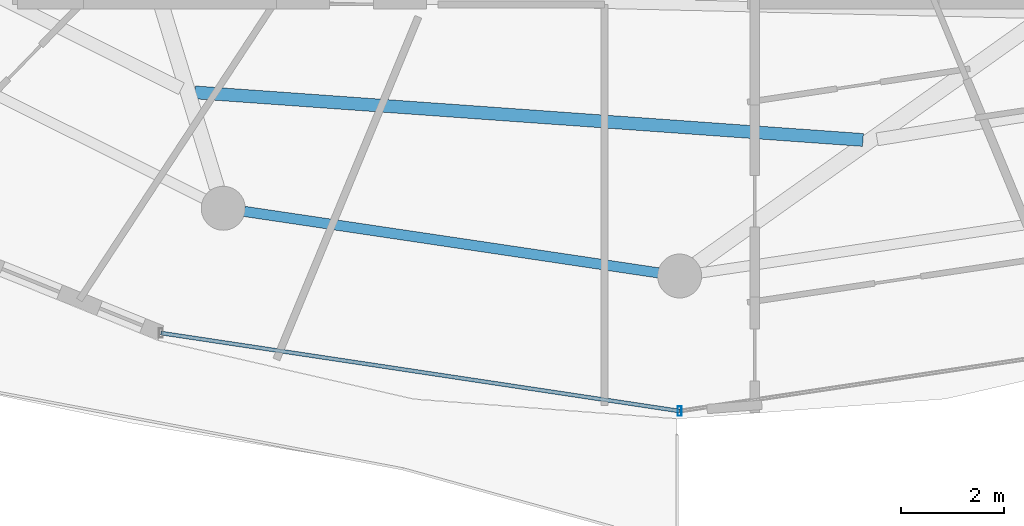
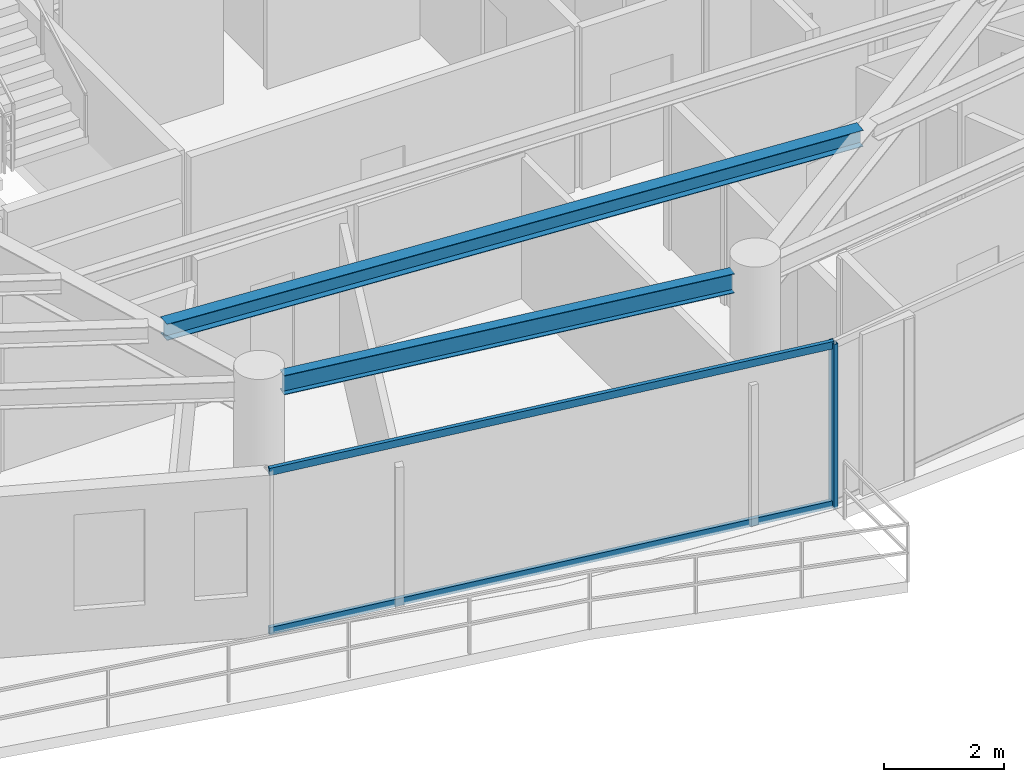
# One storey, part 5 of 32: 3 members, 2 beams, 1 element without a shape of its own.
"""IFC4 building model written with IfcOpenShell, lengths in metres."""

import ifcopenshell
import ifcopenshell.guid

model = None  # the IFC model being written
_history = None  # IfcOwnerHistory: only IFC2X3 demands one
_inside = {}  # id of a spatial element -> (the spatial element, [elements in it])
_under = {}  # id of a project, library or spatial element -> (it, [spatial elements below it])
_declared = {}  # id of a project -> (the project, [libraries it declares])
_typed = {}  # id of a type object -> (the type object, [elements of that type])
_made_of = {}  # id of a material, layer set ... -> (it, [elements and type objects made of it])


def new_model(schema):
    """Start an empty IFC model of exactly this schema.

    Asked for "IFC4X3", IfcOpenShell would pick the latest addendum, in which some entities
    have other attributes; the version numbers below select the first issue.
    IFC2X3 requires an IfcOwnerHistory on every rooted entity: one is made here for all.
    """
    global model, _history
    if schema == "IFC4X3":
        model = ifcopenshell.file(schema_version=(4, 3, 0, 0))
    else:
        model = ifcopenshell.file(schema=schema)
    _inside.clear()
    _under.clear()
    _declared.clear()
    _typed.clear()
    _made_of.clear()
    _history = None
    if model.schema == "IFC2X3":
        org = make("IfcOrganization", Name="unknown")
        user = make(
            "IfcPersonAndOrganization",
            ThePerson=make("IfcPerson", FamilyName="unknown"),
            TheOrganization=org,
        )
        app = make(
            "IfcApplication",
            ApplicationDeveloper=org,
            Version="unknown",
            ApplicationFullName="unknown",
            ApplicationIdentifier="unknown",
        )
        _history = make(
            "IfcOwnerHistory",
            OwningUser=user,
            OwningApplication=app,
            ChangeAction="ADDED",
            CreationDate=0,
        )
    return model


def make(cls, **values):
    """One entity of the class cls with the attributes given. An attribute that is None is left unset."""
    return model.create_entity(
        cls, **{name: value for name, value in values.items() if value is not None}
    )


def rooted(cls, **values):
    """An entity with a GlobalId (a new one), such as an element, a storey or a relation."""
    return make(cls, GlobalId=ifcopenshell.guid.new(), OwnerHistory=_history, **values)


def si_unit(unit_type, name, prefix=None):
    """IfcSIUnit, for example si_unit("LENGTHUNIT", "METRE", prefix="MILLI")."""
    return make("IfcSIUnit", UnitType=unit_type, Prefix=prefix, Name=name)


def assignment(units):
    """IfcUnitAssignment: the units of a project."""
    return None if units is None else make("IfcUnitAssignment", Units=units)


def point(xyz):
    """IfcCartesianPoint."""
    return None if xyz is None else make("IfcCartesianPoint", Coordinates=xyz)


def direction(xyz):
    """IfcDirection."""
    return None if xyz is None else make("IfcDirection", DirectionRatios=xyz)


def frame(location, z_axis=None, x_axis=None):
    """IfcAxis2Placement3D, a coordinate frame: its origin and axes. An axis left out is left unset."""
    return make(
        "IfcAxis2Placement3D",
        Location=point(location),
        Axis=direction(z_axis),
        RefDirection=direction(x_axis),
    )


def frame_2d(location, x_axis=None):
    """IfcAxis2Placement2D, a coordinate frame in the plane: its origin and x axis."""
    return make(
        "IfcAxis2Placement2D", Location=point(location), RefDirection=direction(x_axis)
    )


def origin():
    """The frame at (0, 0, 0) with its axes left unset."""
    return frame((0.0, 0.0, 0.0))


def origin_2d():
    """The frame at (0, 0) in the plane with its x axis left unset."""
    return frame_2d((0.0, 0.0))


def place(relative_to, where):
    """IfcLocalPlacement: puts the frame where relative to a parent placement (None: the world)."""
    return make(
        "IfcLocalPlacement", PlacementRelTo=relative_to, RelativePlacement=where
    )


def context(
    kind, dimensions, precision=None, world=None, true_north=None, identifier=None
):
    """IfcGeometricRepresentationContext, for example the 3D "Model" context."""
    return make(
        "IfcGeometricRepresentationContext",
        ContextIdentifier=identifier,
        ContextType=kind,
        CoordinateSpaceDimension=dimensions,
        Precision=precision,
        WorldCoordinateSystem=world,
        TrueNorth=true_north,
    )


def subcontext(parent, identifier, kind, view, scale=None):
    """IfcGeometricRepresentationSubContext, for example "Body" below "Model"."""
    return make(
        "IfcGeometricRepresentationSubContext",
        ContextIdentifier=identifier,
        ContextType=kind,
        ParentContext=parent,
        TargetScale=scale,
        TargetView=view,
    )


def project(units=None, contexts=None):
    """IfcProject with its units and contexts."""
    return rooted(
        "IfcProject",
        Name="project",
        RepresentationContexts=contexts,
        UnitsInContext=assignment(units),
    )


def spatial(cls, under=None, at=None, **own):
    """A site, building, storey or space (cls), placed at a placement, below another one or the project."""
    s = rooted(cls, ObjectPlacement=at, **own)
    if under is not None:
        _under.setdefault(under.id(), (under, []))[1].append(s)
    return s


def profile(cls, at=None, kind="AREA", **sizes):
    """A parametric profile (cls). Its sizes go by their IFC names, for example OverallWidth=200.0."""
    return make(cls, ProfileType=kind, Position=at, **sizes)


def hollow_rectangle(**sizes):
    """IfcRectangleHollowProfileDef."""
    return profile("IfcRectangleHollowProfileDef", **sizes)


def i_section(**sizes):
    """IfcIShapeProfileDef."""
    return profile("IfcIShapeProfileDef", **sizes)


def extrude(swept, where, along, depth):
    """IfcExtrudedAreaSolid: the profile swept, set in the frame where, extruded along a direction by depth."""
    return make(
        "IfcExtrudedAreaSolid",
        SweptArea=swept,
        Position=where,
        ExtrudedDirection=direction(along),
        Depth=depth,
    )


def shape(context_of_items, identifier, shape_type, items):
    """IfcShapeRepresentation: the items that make up one representation, for example the "Body"."""
    return make(
        "IfcShapeRepresentation",
        ContextOfItems=context_of_items,
        RepresentationIdentifier=identifier,
        RepresentationType=shape_type,
        Items=items,
    )


def material(Name=None, Category=None):
    """IfcMaterial."""
    return make("IfcMaterial", Name=Name, Category=Category)


def material_profile(
    of_material, cross_section, Name=None, Category=None, Priority=None
):
    """IfcMaterialProfile: a cross section and its material."""
    return make(
        "IfcMaterialProfile",
        Name=Name,
        Material=of_material,
        Profile=cross_section,
        Priority=Priority,
        Category=Category,
    )


def profile_set(profiles, Name=None, composite=None):
    """IfcMaterialProfileSet."""
    return make(
        "IfcMaterialProfileSet",
        Name=Name,
        MaterialProfiles=profiles,
        CompositeProfile=composite,
    )


def made_of(thing, what):
    """Note that an element or type object is made of a material, layer set ...; save() writes the relation."""
    if what is not None:
        _made_of.setdefault(what.id(), (what, []))[1].append(thing)
    return thing


def type_object(cls, material=None, **own):
    """A type object (cls), such as IfcWallType, which elements share."""
    return made_of(rooted(cls, **own), material)


def element(
    cls,
    number,
    at=None,
    inside=None,
    cuts=None,
    type_object=None,
    material=None,
    context=None,
    identifier="Body",
    shape_type=None,
    held_by="IfcProductDefinitionShape",
    body=None,
    shapes=None,
    **own,
):
    """One element of the class cls, such as IfcWall. Its Tag is "e" and its number.

    at: its placement. inside: the storey or other place that contains it. cuts: it is an
    opening in that element (IfcRelVoidsElement). A single representation is given by context,
    identifier, shape_type and body (its items); several are given by shapes. held_by: the class
    of the entity that holds the representations. save() writes the other relations.
    """
    e = rooted(cls, Tag="e%d" % number, ObjectPlacement=at, **own)
    if body is not None:
        shapes = [shape(context, identifier, shape_type, body)]
    if shapes is not None:
        e.Representation = make(held_by, Representations=shapes)
    if inside is not None:
        _inside.setdefault(inside.id(), (inside, []))[1].append(e)
    if cuts is not None:
        rooted(
            "IfcRelVoidsElement", RelatingBuildingElement=cuts, RelatedOpeningElement=e
        )
    if type_object is not None:
        _typed.setdefault(type_object.id(), (type_object, []))[1].append(e)
    return made_of(e, material)


def aggregate(whole, parts):
    """IfcRelAggregates: a whole, such as a stair, and the parts it consists of."""
    return rooted("IfcRelAggregates", RelatingObject=whole, RelatedObjects=parts)


def save(model, path):
    """Write the relations noted so far, then the file.

    IfcRelAggregates (storeys below a building ...), IfcRelContainedInSpatialStructure (elements
    in a storey), IfcRelDefinesByType, IfcRelAssociatesMaterial and IfcRelDeclares: one each for
    every whole, place, type object, material and project.
    """
    for whole, parts in _under.values():
        aggregate(whole, parts)
    for where, things in _inside.values():
        rooted(
            "IfcRelContainedInSpatialStructure",
            RelatedElements=things,
            RelatingStructure=where,
        )
    for kind, things in _typed.values():
        rooted("IfcRelDefinesByType", RelatedObjects=things, RelatingType=kind)
    for what, things in _made_of.values():
        rooted("IfcRelAssociatesMaterial", RelatedObjects=things, RelatingMaterial=what)
    for by, libraries in _declared.values():
        rooted("IfcRelDeclares", RelatingContext=by, RelatedDefinitions=libraries)
    model.write(path)


model = new_model("IFC4")

# Units and contexts
model_context = context("Model", 3, precision=1e-05, world=origin(), true_north=direction((0.0, 1.0)))
body_context = subcontext(model_context, "Body", "Model", "MODEL_VIEW")
ifc_project = project(units=[si_unit("LENGTHUNIT", "METRE"), si_unit("AREAUNIT", "SQUARE_METRE"), si_unit("VOLUMEUNIT", "CUBIC_METRE"), si_unit("PLANEANGLEUNIT", "RADIAN"), si_unit("MASSUNIT", "GRAM", prefix="KILO")], contexts=[model_context])

# Site, building, storey
site_placement = place(None, origin())
site = spatial("IfcSite", under=ifc_project, at=site_placement, CompositionType="ELEMENT")
building_placement = place(site_placement, origin())
building = spatial("IfcBuilding", under=site, at=building_placement, Name="Vorneva Point Tower", CompositionType="ELEMENT")
storey_placement = place(building_placement, frame((0.0, 0.0, 269.75)))
storey = spatial("IfcBuildingStorey", under=building, at=storey_placement, Name="L73", CompositionType="ELEMENT", Elevation=269.75)

# Beams
ifc_material_1 = material(Name="Steel S355", Category="steel")
ifc_material_profile_1 = material_profile(ifc_material_1, i_section(OverallWidth=0.2490234375, OverallDepth=0.333984375, WebThickness=0.008056640625, FlangeThickness=0.010986328125, at=origin_2d()), Name="35Sh1")
ifc_profile_set_1 = profile_set([ifc_material_profile_1], Name="Steel S355")
beam_type_1 = type_object("IfcBeamType", Name="BM-SEC-35Sh1", PredefinedType="BEAM", material=ifc_profile_set_1)
beam_1_placement = place(storey_placement, frame((28.63232421875, 12.349365234375, 3.123046875), z_axis=(0.997472849648, -0.071048674973, 0.0), x_axis=(0.071048674973, 0.997472849648, 0.0)))
element("IfcBeam", 1, at=beam_1_placement, inside=storey, type_object=beam_type_1, Name="L73 Secondary Floor Beam 1.12", PredefinedType="BEAM", context=body_context, shape_type="SweptSolid", body=[
    extrude(i_section(OverallWidth=0.2490234375, OverallDepth=0.333984375, WebThickness=0.008056640625, FlangeThickness=0.010986328125, at=origin_2d()), origin(), (0.0, 0.0, 1.0), 12.9443359375),
])
ifc_material_profile_2 = material_profile(ifc_material_1, i_section(OverallWidth=0.198974609375, OverallDepth=0.39599609375, WebThickness=0.007080078125, FlangeThickness=0.010986328125, at=origin_2d()), Name="40B1")
ifc_profile_set_2 = profile_set([ifc_material_profile_2], Name="Steel S355")
beam_type_2 = type_object("IfcBeamType", Name="BM-SPN-40B1", PredefinedType="SPANDREL", material=ifc_profile_set_2)
beam_2_placement = place(storey_placement, frame((29.584716796875, 10.049072265625, 3.092041015625), z_axis=(0.989161657331, -0.146830567886, 0.0), x_axis=(0.146830567886, 0.989161657331, 0.0)))
element("IfcBeam", 2, at=beam_2_placement, inside=storey, type_object=beam_type_2, Name="L73 Perimeter Spandrel Ring Beam 12", PredefinedType="SPANDREL", context=body_context, shape_type="SweptSolid", body=[
    extrude(i_section(OverallWidth=0.198974609375, OverallDepth=0.39599609375, WebThickness=0.007080078125, FlangeThickness=0.010986328125, at=origin_2d()), origin(), (0.0, 0.0, 1.0), 8.097412109375),
])

# Curtain wall, members
ifc_material_2 = material(Name="Pale anodised aluminium", Category="aluminium")
curtain_wall_type = type_object("IfcCurtainWallType", Name="CW-RES-SYS", PredefinedType="NOTDEFINED", material=ifc_material_2)
curtain_wall_placement = place(storey_placement, origin())
curtain_wall = element("IfcCurtainWall", 3, at=curtain_wall_placement, inside=storey, type_object=curtain_wall_type, Name="L73 Unitised Curtain Wall CW-L73-R04", PredefinedType="NOTDEFINED")
ifc_material_profile_3 = material_profile(ifc_material_2, hollow_rectangle(XDim=0.074951171875, YDim=0.179931640625, WallThickness=0.00390625, at=origin_2d()), Name="AL-MUL 180x75x4")
ifc_profile_set_3 = profile_set([ifc_material_profile_3], Name="Pale anodised aluminium")
member_type_1 = type_object("IfcMemberType", Name="CW-MUL-180", PredefinedType="MULLION", material=ifc_profile_set_3)
member_1_placement = place(storey_placement, frame((38.0, 6.18994140625, -0.0400390625), z_axis=(0.0, 0.0, 1.0), x_axis=(1.0, 0.0, 0.0)))
member_1 = element("IfcMember", 4, at=member_1_placement, type_object=member_type_1, Name="CW-L73-R04 Mullion 02", PredefinedType="MULLION", context=body_context, shape_type="SweptSolid", body=[
    extrude(hollow_rectangle(XDim=0.074951171875, YDim=0.179931640625, WallThickness=0.00390625, at=origin_2d()), origin(), (0.0, 0.0, 1.0), 3.360107421875),
])
ifc_material_profile_4 = material_profile(ifc_material_2, hollow_rectangle(XDim=0.074951171875, YDim=0.14990234375, WallThickness=0.00390625, at=origin_2d()), Name="AL-TRN 150x75x4")
ifc_profile_set_4 = profile_set([ifc_material_profile_4], Name="Pale anodised aluminium")
member_type_2 = type_object("IfcMemberType", Name="CW-TRN-150", PredefinedType="USERDEFINED", material=ifc_profile_set_4)
member_2_placement = place(storey_placement, frame((27.9736328125, 7.697998046875, 0.02001953125), z_axis=(0.988876929856, -0.148736066907, 0.0), x_axis=(0.148736066907, 0.988876929856, 0.0)))
member_2 = element("IfcMember", 5, at=member_2_placement, type_object=member_type_2, Name="CW-L73-R04 Transom 01.1", ObjectType="TRANSOM", PredefinedType="USERDEFINED", context=body_context, shape_type="SweptSolid", body=[
    extrude(hollow_rectangle(XDim=0.074951171875, YDim=0.14990234375, WallThickness=0.00390625, at=origin_2d()), origin(), (0.0, 0.0, 1.0), 10.13916015625),
])
member_3_placement = place(storey_placement, frame((27.9736328125, 7.697998046875, 3.27001953125), z_axis=(0.988876929856, -0.148736066907, 0.0), x_axis=(0.148736066907, 0.988876929856, 0.0)))
member_3 = element("IfcMember", 6, at=member_3_placement, type_object=member_type_2, Name="CW-L73-R04 Transom 01.2", ObjectType="TRANSOM", PredefinedType="USERDEFINED", context=body_context, shape_type="SweptSolid", body=[
    extrude(hollow_rectangle(XDim=0.074951171875, YDim=0.14990234375, WallThickness=0.00390625, at=origin_2d()), origin(), (0.0, 0.0, 1.0), 10.13916015625),
])
aggregate(curtain_wall, [member_1, member_2, member_3])

save(model, "model.ifc")
